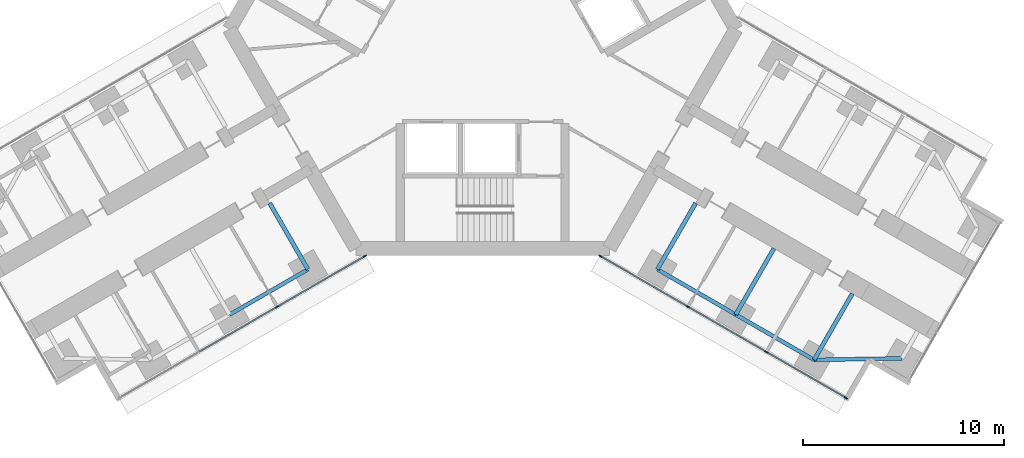
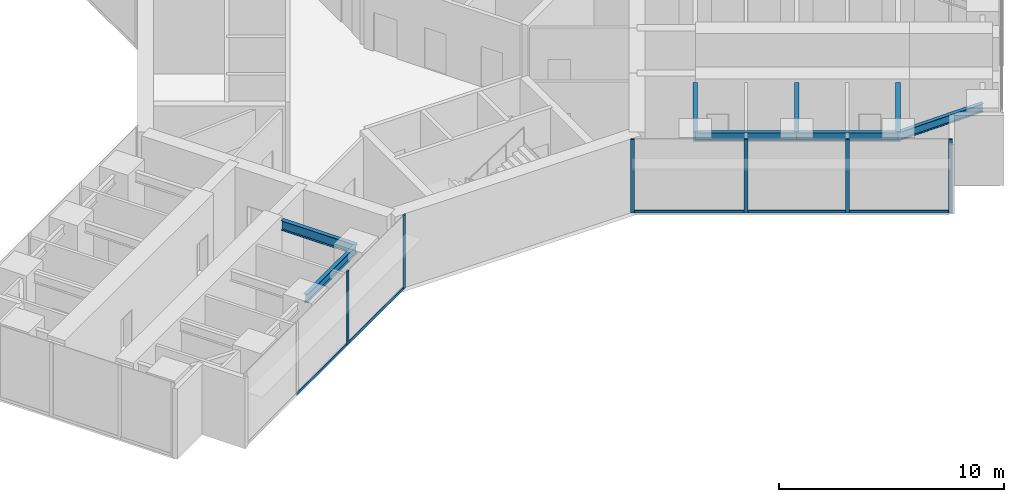
# One storey, part 9 of 24: 11 members, 8 beams, 2 elements without a shape of their own.
"""IFC4 building model written with IfcOpenShell, lengths in metres."""

from ifc_helpers import new_model, si_unit, direction, frame, origin, origin_2d, place, context, subcontext, project, spatial, rectangle, i_section, extrude, material, material_profile, profile_set, type_object, element, aggregate, save


model = new_model("IFC4")

# Units and contexts
model_context = context("Model", 3, precision=1e-05, world=origin(), true_north=direction((0.0, 1.0)))
body_context = subcontext(model_context, "Body", "Model", "MODEL_VIEW")
ifc_project = project(units=[si_unit("LENGTHUNIT", "METRE"), si_unit("AREAUNIT", "SQUARE_METRE"), si_unit("VOLUMEUNIT", "CUBIC_METRE"), si_unit("PLANEANGLEUNIT", "RADIAN"), si_unit("MASSUNIT", "GRAM", prefix="KILO")], contexts=[model_context])

# Site, building, storey
site_placement = place(None, origin())
site = spatial("IfcSite", under=ifc_project, at=site_placement, CompositionType="ELEMENT")
building_placement = place(site_placement, origin())
building = spatial("IfcBuilding", under=site, at=building_placement, Name="Upepo Twin Towers", CompositionType="ELEMENT")
storey_placement = place(building_placement, frame((0.0, 0.0, 64.5)))
storey = spatial("IfcBuildingStorey", under=building, at=storey_placement, Name="L15", CompositionType="ELEMENT", Elevation=64.5)

# Beams
ifc_material_1 = material(Name="Steel S355", Category="steel")
ifc_material_profile_1 = material_profile(ifc_material_1, i_section(OverallWidth=0.1904296875, OverallDepth=0.45703125, WebThickness=0.009033203125, FlangeThickness=0.014404296875, FilletRadius=0.01025390625, at=origin_2d()), Name="UB 457x191x74")
ifc_profile_set_1 = profile_set([ifc_material_profile_1], Name="Steel S355")
beam_type_1 = type_object("IfcBeamType", Name="Beam UB 457x191x74", PredefinedType="BEAM", material=ifc_profile_set_1)
for number, where, z_axis, x_axis, name in (
    (1, (49.80859375, -29.946044921875, 3.571533203125), (-0.866017533419, -0.500013631625, 0.0), (0.500013631625, -0.866017533419, 0.0), "T2 edge beam BL 13.5-18.0"),
    (2, (67.19140625, -29.946044921875, 3.571533203125), (0.866017533419, -0.500013631625, 0.0), (0.500013631625, 0.866017533419, 0.0), "T2 edge beam CR 13.5-18.0"),
):
    element("IfcBeam", number, at=place(storey_placement, frame(where, z_axis=z_axis, x_axis=x_axis)), inside=storey, type_object=beam_type_1, Name=name, PredefinedType="BEAM", context=body_context, shape_type="SweptSolid", body=[
        extrude(i_section(OverallWidth=0.1904296875, OverallDepth=0.45703125, WebThickness=0.009033203125, FlangeThickness=0.014404296875, FilletRadius=0.01025390625, at=origin_2d()), origin(), (0.0, 0.0, 1.0), 4.499755859375),
    ])
beam_1_placement = place(storey_placement, frame((71.08837890625, -32.196044921875, 3.571533203125), z_axis=(0.866031096941, -0.499990139034, 0.0), x_axis=(0.499990139034, 0.866031096941, 0.0)))
element("IfcBeam", 3, at=beam_1_placement, inside=storey, type_object=beam_type_1, Name="T2 edge beam CR 18.0-22.5", PredefinedType="BEAM", context=body_context, shape_type="SweptSolid", body=[
    extrude(i_section(OverallWidth=0.1904296875, OverallDepth=0.45703125, WebThickness=0.009033203125, FlangeThickness=0.014404296875, FilletRadius=0.01025390625, at=origin_2d()), origin(), (0.0, 0.0, 1.0), 4.5),
])
beam_2_placement = place(storey_placement, frame((74.985595703125, -34.446044921875, 3.571533203125), z_axis=(0.999858804832, 0.016803880528, 0.0), x_axis=(-0.016803880528, 0.999858804832, 0.0)))
element("IfcBeam", 4, at=beam_2_placement, inside=storey, type_object=beam_type_1, Name="T2 nose edge beam CR", PredefinedType="BEAM", context=body_context, shape_type="SweptSolid", body=[
    extrude(i_section(OverallWidth=0.1904296875, OverallDepth=0.45703125, WebThickness=0.009033203125, FlangeThickness=0.014404296875, FilletRadius=0.01025390625, at=origin_2d()), origin(), (0.0, 0.0, 1.0), 4.373291015625),
])
ifc_material_2 = material(Name="Steel S355", Category="steel")
ifc_material_profile_2 = material_profile(ifc_material_2, i_section(OverallWidth=0.209228515625, OverallDepth=0.533203125, WebThickness=0.010009765625, FlangeThickness=0.015625, FilletRadius=0.0126953125, at=origin_2d()), Name="UB 533x210x92")
ifc_profile_set_2 = profile_set([ifc_material_profile_2], Name="Steel S355")
beam_type_2 = type_object("IfcBeamType", Name="Beam UB 533x210x92", PredefinedType="BEAM", material=ifc_profile_set_2)
for number, where, z_axis, x_axis, name in (
    (5, (49.80859375, -29.946044921875, 3.533447265625), (-0.499994975061, 0.866028304915, 0.0), (-0.866028304915, -0.499994975061, 0.0), "T2 girder BL at 13.5"),
    (6, (67.19140625, -29.946044921875, 3.533447265625), (0.499994975061, 0.866028304915, 0.0), (-0.866028304915, 0.499994975061, 0.0), "T2 girder CR at 13.5"),
):
    element("IfcBeam", number, at=place(storey_placement, frame(where, z_axis=z_axis, x_axis=x_axis)), inside=storey, type_object=beam_type_2, Name=name, PredefinedType="BEAM", context=body_context, shape_type="SweptSolid", body=[
        extrude(i_section(OverallWidth=0.209228515625, OverallDepth=0.533203125, WebThickness=0.010009765625, FlangeThickness=0.015625, FilletRadius=0.0126953125, at=origin_2d()), origin(), (0.0, 0.0, 1.0), 3.7998046875),
    ])
beam_3_placement = place(storey_placement, frame((71.08837890625, -32.196044921875, 3.533447265625), z_axis=(0.500043160704, 0.866000483506, 0.0), x_axis=(-0.866000483506, 0.500043160704, 0.0)))
element("IfcBeam", 7, at=beam_3_placement, inside=storey, type_object=beam_type_2, Name="T2 girder CR at 18.0", PredefinedType="BEAM", context=body_context, shape_type="SweptSolid", body=[
    extrude(i_section(OverallWidth=0.209228515625, OverallDepth=0.533203125, WebThickness=0.010009765625, FlangeThickness=0.015625, FilletRadius=0.0126953125, at=origin_2d()), origin(), (0.0, 0.0, 1.0), 3.800048828125),
])
beam_4_placement = place(storey_placement, frame((74.985595703125, -34.446044921875, 3.533447265625), z_axis=(0.499994975061, 0.866028304915, 0.0), x_axis=(-0.866028304915, 0.499994975061, 0.0)))
element("IfcBeam", 8, at=beam_4_placement, inside=storey, type_object=beam_type_2, Name="T2 girder CR at 22.5", PredefinedType="BEAM", context=body_context, shape_type="SweptSolid", body=[
    extrude(i_section(OverallWidth=0.209228515625, OverallDepth=0.533203125, WebThickness=0.010009765625, FlangeThickness=0.015625, FilletRadius=0.0126953125, at=origin_2d()), origin(), (0.0, 0.0, 1.0), 3.7998046875),
])

# Curtain wall, members
ifc_material_3 = material(Name="Aluminium and fritted glass", Category="aluminium")
curtain_wall_type = type_object("IfcCurtainWallType", Name="Tower curtain wall TW1, fritted glass", PredefinedType="NOTDEFINED", material=ifc_material_3)
curtain_wall_1_placement = place(storey_placement, origin())
curtain_wall_1 = element("IfcCurtainWall", 9, at=curtain_wall_1_placement, inside=storey, type_object=curtain_wall_type, Name="T2 L15 wing B flank L curtain wall", PredefinedType="NOTDEFINED")
ifc_material_4 = material(Name="Aluminium mullion", Category="aluminium")
ifc_material_profile_3 = material_profile(ifc_material_4, rectangle(XDim=0.06494140625, YDim=0.179931640625, at=origin_2d()), Name="MULLION 65x180")
ifc_profile_set_3 = profile_set([ifc_material_profile_3], Name="Aluminium mullion")
member_type_1 = type_object("IfcMemberType", Name="Mullion 65x180 TW1", PredefinedType="MULLION", material=ifc_profile_set_3)
member_1_placement = place(storey_placement, frame((52.6416015625, -29.2919921875, 0.0), z_axis=(0.0, 0.0, 1.0), x_axis=(0.500000024426, -0.866025389682, 0.0)))
member_1 = element("IfcMember", 10, at=member_1_placement, type_object=member_type_1, Name="T2 L15 wing B flank L curtain wall mullion 1", PredefinedType="MULLION", context=body_context, shape_type="SweptSolid", body=[
    extrude(rectangle(XDim=0.06494140625, YDim=0.179931640625, at=origin_2d()), origin(), (0.0, 0.0, 1.0), 4.0),
])
member_2_placement = place(storey_placement, frame((48.28515625, -31.807373046875, 0.0), z_axis=(0.0, 0.0, 1.0), x_axis=(0.500000024426, -0.866025389682, 0.0)))
member_2 = element("IfcMember", 11, at=member_2_placement, type_object=member_type_1, Name="T2 L15 wing B flank L curtain wall mullion 2", PredefinedType="MULLION", context=body_context, shape_type="SweptSolid", body=[
    extrude(rectangle(XDim=0.06494140625, YDim=0.179931640625, at=origin_2d()), origin(), (0.0, 0.0, 1.0), 4.0),
])

curtain_wall_2_placement = place(storey_placement, origin())
curtain_wall_2 = element("IfcCurtainWall", 12, at=curtain_wall_2_placement, inside=storey, type_object=curtain_wall_type, Name="T2 L15 wing C flank R curtain wall", PredefinedType="NOTDEFINED")
member_3_placement = place(storey_placement, frame((76.567626953125, -36.341064453125, 0.0), z_axis=(0.0, 0.0, 1.0), x_axis=(-0.500000024426, -0.866025389682, 0.0)))
member_3 = element("IfcMember", 13, at=member_3_placement, type_object=member_type_1, Name="T2 L15 wing C flank R curtain wall mullion 1", PredefinedType="MULLION", context=body_context, shape_type="SweptSolid", body=[
    extrude(rectangle(XDim=0.06494140625, YDim=0.179931640625, at=origin_2d()), origin(), (0.0, 0.0, 1.0), 4.0),
])
member_4_placement = place(storey_placement, frame((72.612060546875, -34.057373046875, 0.0), z_axis=(0.0, 0.0, 1.0), x_axis=(-0.500000024426, -0.866025389682, 0.0)))
member_4 = element("IfcMember", 14, at=member_4_placement, type_object=member_type_1, Name="T2 L15 wing C flank R curtain wall mullion 2", PredefinedType="MULLION", context=body_context, shape_type="SweptSolid", body=[
    extrude(rectangle(XDim=0.06494140625, YDim=0.179931640625, at=origin_2d()), origin(), (0.0, 0.0, 1.0), 4.0),
])
member_5_placement = place(storey_placement, frame((68.71484375, -31.807373046875, 0.0), z_axis=(0.0, 0.0, 1.0), x_axis=(-0.500000024426, -0.866025389682, 0.0)))
member_5 = element("IfcMember", 15, at=member_5_placement, type_object=member_type_1, Name="T2 L15 wing C flank R curtain wall mullion 3", PredefinedType="MULLION", context=body_context, shape_type="SweptSolid", body=[
    extrude(rectangle(XDim=0.06494140625, YDim=0.179931640625, at=origin_2d()), origin(), (0.0, 0.0, 1.0), 4.0),
])
member_6_placement = place(storey_placement, frame((64.3583984375, -29.2919921875, 0.0), z_axis=(0.0, 0.0, 1.0), x_axis=(-0.500000024426, -0.866025389682, 0.0)))
member_6 = element("IfcMember", 16, at=member_6_placement, type_object=member_type_1, Name="T2 L15 wing C flank R curtain wall mullion 4", PredefinedType="MULLION", context=body_context, shape_type="SweptSolid", body=[
    extrude(rectangle(XDim=0.06494140625, YDim=0.179931640625, at=origin_2d()), origin(), (0.0, 0.0, 1.0), 4.0),
])

# Member
ifc_material_5 = material(Name="Aluminium transom", Category="aluminium")
ifc_material_profile_4 = material_profile(ifc_material_5, rectangle(XDim=0.06494140625, YDim=0.14990234375, at=origin_2d()), Name="TRANSOM 65x150")
ifc_profile_set_4 = profile_set([ifc_material_profile_4], Name="Aluminium transom")
member_type_2 = type_object("IfcMemberType", Name="Transom 65x150 TW1", PredefinedType="USERDEFINED", material=ifc_profile_set_4)
member_7_placement = place(storey_placement, frame((52.61328125, -29.308349609375, 0.074951171875), z_axis=(-0.866022642139, -0.50000478328, 0.0), x_axis=(0.50000478328, -0.866022642139, 0.0)))
member_7 = element("IfcMember", 17, at=member_7_placement, type_object=member_type_2, Name="T2 L15 wing B flank L curtain wall transom 1", ObjectType="TRANSOM", PredefinedType="USERDEFINED", context=body_context, shape_type="SweptSolid", body=[
    extrude(rectangle(XDim=0.06494140625, YDim=0.14990234375, at=origin_2d()), origin(), (0.0, 0.0, 1.0), 4.96533203125),
])

member_8_placement = place(storey_placement, frame((48.2568359375, -31.823486328125, 0.074951171875), z_axis=(-0.866022410713, -0.500005184116, 0.0), x_axis=(0.500005184116, -0.866022410713, 0.0)))
member_8 = element("IfcMember", 18, at=member_8_placement, type_object=member_type_2, Name="T2 L15 wing B flank L curtain wall transom 2", ObjectType="TRANSOM", PredefinedType="USERDEFINED", context=body_context, shape_type="SweptSolid", body=[
    extrude(rectangle(XDim=0.06494140625, YDim=0.14990234375, at=origin_2d()), origin(), (0.0, 0.0, 1.0), 4.43505859375),
])

aggregate(curtain_wall_1, [member_1, member_2, member_7, member_8])

member_9_placement = place(storey_placement, frame((76.53955078125, -36.32470703125, 0.074951171875), z_axis=(-0.866035699072, 0.499982167615, 0.0), x_axis=(-0.499982167615, -0.866035699072, 0.0)))
member_9 = element("IfcMember", 19, at=member_9_placement, type_object=member_type_2, Name="T2 L15 wing C flank R curtain wall transom 1", ObjectType="TRANSOM", PredefinedType="USERDEFINED", context=body_context, shape_type="SweptSolid", body=[
    extrude(rectangle(XDim=0.06494140625, YDim=0.14990234375, at=origin_2d()), origin(), (0.0, 0.0, 1.0), 4.502685546875),
])

member_10_placement = place(storey_placement, frame((72.583984375, -34.041015625, 0.074951171875), z_axis=(-0.866022410713, 0.500005184116, 0.0), x_axis=(-0.500005184116, -0.866022410713, 0.0)))
member_10 = element("IfcMember", 20, at=member_10_placement, type_object=member_type_2, Name="T2 L15 wing C flank R curtain wall transom 2", ObjectType="TRANSOM", PredefinedType="USERDEFINED", context=body_context, shape_type="SweptSolid", body=[
    extrude(rectangle(XDim=0.06494140625, YDim=0.14990234375, at=origin_2d()), origin(), (0.0, 0.0, 1.0), 4.43505859375),
])

member_11_placement = place(storey_placement, frame((68.686767578125, -31.791015625, 0.074951171875), z_axis=(-0.866022642139, 0.50000478328, 0.0), x_axis=(-0.50000478328, -0.866022642139, 0.0)))
member_11 = element("IfcMember", 21, at=member_11_placement, type_object=member_type_2, Name="T2 L15 wing C flank R curtain wall transom 3", ObjectType="TRANSOM", PredefinedType="USERDEFINED", context=body_context, shape_type="SweptSolid", body=[
    extrude(rectangle(XDim=0.06494140625, YDim=0.14990234375, at=origin_2d()), origin(), (0.0, 0.0, 1.0), 4.96533203125),
])

aggregate(curtain_wall_2, [member_3, member_4, member_5, member_6, member_9, member_10, member_11])

save(model, "model.ifc")
